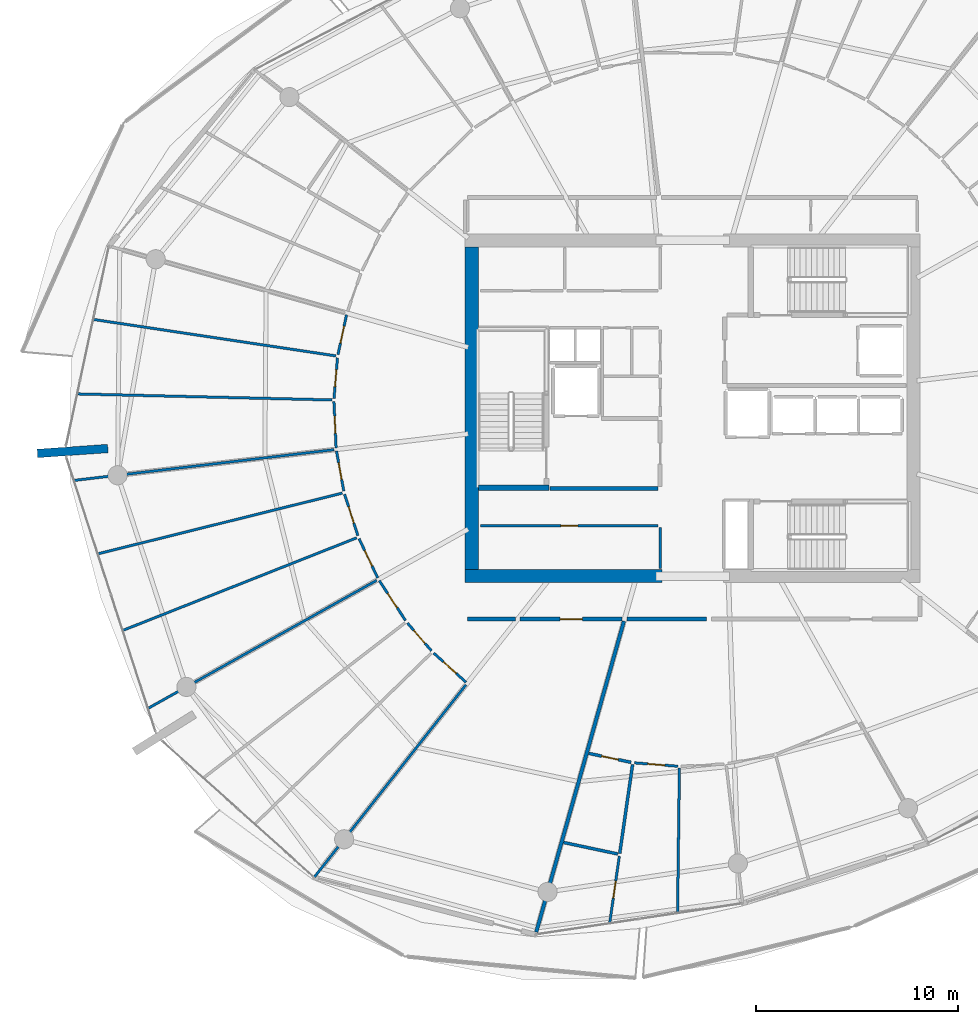
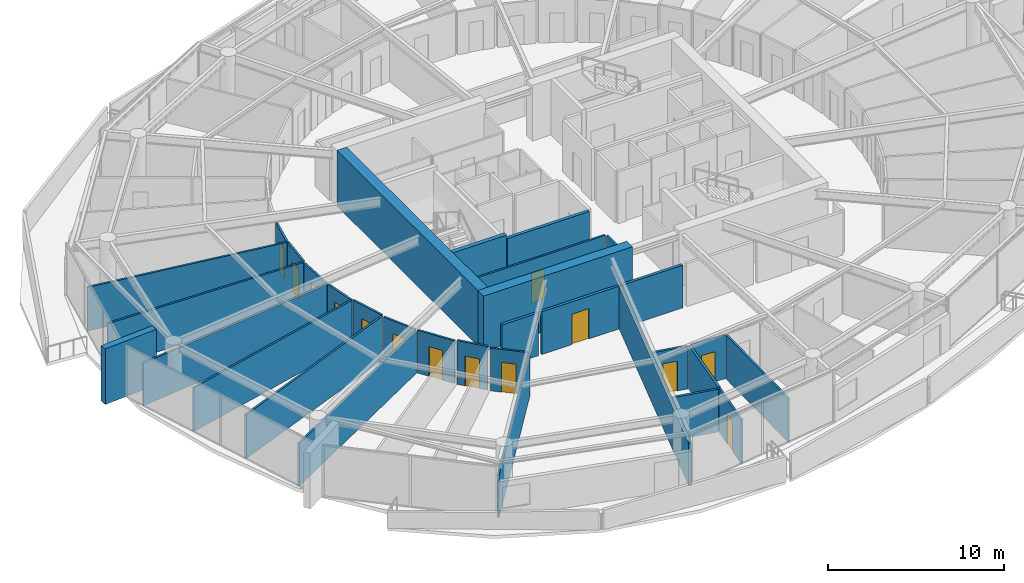
# One storey, part 18 of 30: 33 walls, 14 doors, 14 openings.
"""IFC4 building model written with IfcOpenShell, lengths in metres."""

from ifc_helpers import new_model, si_unit, direction, frame, frame_2d, origin, place, context, subcontext, project, spatial, rectangle, extrude, material, layer, layer_set, type_object, element, fill, save


model = new_model("IFC4")

# Units and contexts
model_context = context("Model", 3, precision=1e-05, world=origin(), true_north=direction((0.0, 1.0)))
body_context = subcontext(model_context, "Body", "Model", "MODEL_VIEW")
ifc_project = project(units=[si_unit("LENGTHUNIT", "METRE"), si_unit("AREAUNIT", "SQUARE_METRE"), si_unit("VOLUMEUNIT", "CUBIC_METRE"), si_unit("PLANEANGLEUNIT", "RADIAN"), si_unit("MASSUNIT", "GRAM", prefix="KILO")], contexts=[model_context])

# Site, building, storey
site_placement = place(None, origin())
site = spatial("IfcSite", under=ifc_project, at=site_placement, CompositionType="ELEMENT")
building_placement = place(site_placement, origin())
building = spatial("IfcBuilding", under=site, at=building_placement, Name="Kazma Halo Residences", CompositionType="ELEMENT")
storey_placement = place(building_placement, frame((0.0, 0.0, 263.64990234375)))
storey = spatial("IfcBuildingStorey", under=building, at=storey_placement, Name="L66", CompositionType="ELEMENT", Elevation=263.64990234375)

# Walls
ifc_material_1 = material(Name="Pale Concrete C60/75", Category="concrete")
ifc_layer_1 = layer(ifc_material_1, 0.419921875)
ifc_layer_set_1 = layer_set([ifc_layer_1], Name="Pale Concrete C60/75")
wall_type_1 = type_object("IfcWallType", Name="WL-BLADE-420", PredefinedType="SOLIDWALL", material=ifc_layer_set_1)
wall_1_placement = place(storey_placement, frame((19.4375, 40.002685546875, 0.0), z_axis=(0.0, 0.0, 1.0), x_axis=(-0.997563824095, -0.069759707979, 0.0)))
element("IfcWall", 1, at=wall_1_placement, inside=storey, type_object=wall_type_1, Name="L66 pale concrete structural blade fin wall BW-02", PredefinedType="SOLIDWALL", context=body_context, shape_type="SweptSolid", body=[
    extrude(rectangle(XDim=3.499755859375, YDim=0.419921875, at=frame_2d((1.75, 0.0))), origin(), (0.0, 0.0, 1.0), 3.85009765625),
])
ifc_material_2 = material(Name="Concrete C60/75", Category="concrete")
ifc_layer_2 = layer(ifc_material_2, 0.64990234375)
ifc_layer_set_2 = layer_set([ifc_layer_2], Name="Concrete C60/75")
wall_type_2 = type_object("IfcWallType", Name="WL-CORE-650", PredefinedType="SHEAR", material=ifc_layer_set_2)
wall_2_placement = place(storey_placement, frame((37.14990234375, 33.675048828125, 0.0), z_axis=(0.0, 0.0, 1.0), x_axis=(1.0, 0.0, 0.0)))
element("IfcWall", 2, at=wall_2_placement, inside=storey, type_object=wall_type_2, Name="L66 central core shear wall SW", PredefinedType="SHEAR", context=body_context, shape_type="SweptSolid", body=[
    extrude(rectangle(XDim=9.75, YDim=0.64990234375, at=frame_2d((4.875, 0.0))), origin(), (0.0, 0.0, 1.0), 3.85009765625),
])
wall_3_placement = place(storey_placement, frame((37.47509765625, 34.0, 0.0), z_axis=(0.0, 0.0, 1.0), x_axis=(0.0, 1.0, 0.0)))
element("IfcWall", 3, at=wall_3_placement, inside=storey, type_object=wall_type_2, Name="L66 central core shear wall W", PredefinedType="SHEAR", context=body_context, shape_type="SweptSolid", body=[
    extrude(rectangle(XDim=16.0, YDim=0.64990234375, at=frame_2d((8.0, 0.0))), origin(), (0.0, 0.0, 1.0), 3.85009765625),
])
ifc_layer_3 = layer(ifc_material_2, 0.280029296875)
ifc_layer_set_3 = layer_set([ifc_layer_3], Name="Concrete C60/75")
wall_type_3 = type_object("IfcWallType", Name="WL-CORE-ST-280", PredefinedType="SHEAR", material=ifc_layer_set_3)
wall_4_placement = place(storey_placement, frame((37.800048828125, 38.06005859375, 0.0), z_axis=(0.0, 0.0, 1.0), x_axis=(1.0, 0.0, 0.0)))
element("IfcWall", 4, at=wall_4_placement, inside=storey, type_object=wall_type_3, Name="L66 stairwell bearing wall ST01-S", PredefinedType="SHEAR", context=body_context, shape_type="SweptSolid", body=[
    extrude(rectangle(XDim=3.5, YDim=0.280029296875, at=frame_2d((1.75, 0.0))), origin(), (0.0, 0.0, 1.0), 3.85009765625),
])
ifc_material_3 = material(Name="Acoustic Twin-Stud Gypsum")
ifc_layer_4 = layer(ifc_material_3, 0.179931640625)
ifc_layer_set_4 = layer_set([ifc_layer_4], Name="Acoustic Twin-Stud Gypsum")
wall_type_4 = type_object("IfcWallType", Name="WL-DEM-180", PredefinedType="PARTITIONING", material=ifc_layer_set_4)
wall_5_placement = place(storey_placement, frame((45.02294921875, 31.444091796875, 0.0), z_axis=(0.0, 0.0, 1.0), x_axis=(-0.271442063103, -0.962454781472, 0.0)))
element("IfcWall", 5, at=wall_5_placement, inside=storey, type_object=wall_type_4, Name="L66 apartment demising radial wall 10", PredefinedType="PARTITIONING", context=body_context, shape_type="SweptSolid", body=[
    extrude(rectangle(XDim=16.016845703125, YDim=0.179931640625, at=frame_2d((8.00830078125, 0.0))), origin(), (0.0, 0.0, 1.0), 2.95703125),
])

# Wall, opening, door
wall_6_placement = place(storey_placement, frame((39.8818359375, 31.550048828125, 0.0), z_axis=(0.0, 0.0, 1.0), x_axis=(1.0, 0.0, 0.0)))
wall_6 = element("IfcWall", 6, at=wall_6_placement, inside=storey, type_object=wall_type_4, Name="L66 Apartment 1 entrance corridor wall", PredefinedType="PARTITIONING", context=body_context, shape_type="SweptSolid", body=[
    extrude(rectangle(XDim=5.051025390625, YDim=0.179931640625, at=frame_2d((2.525390625, 0.0))), origin(), (0.0, 0.0, 1.0), 2.95703125),
])
opening_1_placement = place(wall_6_placement, frame((1.975341796875, 0.0, 0.0)))
opening_1 = element("IfcOpeningElement", 7, at=opening_1_placement, cuts=wall_6, Name="Opening DA-1100", PredefinedType="OPENING", context=body_context, shape_type="SweptSolid", body=[
    extrude(rectangle(XDim=1.10009765625, YDim=2.10009765625, at=frame_2d((0.550048828125, 1.050048828125))), frame((0.0, 0.099853515625, 0.0), z_axis=(0.0, -1.0, 0.0), x_axis=(1.0, 0.0, 0.0)), (0.0, 0.0, 1.0), 0.199951171875),
])
ifc_material_4 = material(Name="Acoustic Walnut Fire Leaf")
door_type_1 = type_object("IfcDoorType", Name="DR-FD60-1100", OperationType="NOTDEFINED", PredefinedType="DOOR", material=ifc_material_4)
door_1_placement = place(opening_1_placement, origin())
door_1 = element("IfcDoor", 8, at=door_1_placement, inside=storey, type_object=door_type_1, Name="L66 Apartment 1 entrance fire door", OperationType="SINGLE_SWING_RIGHT", OverallHeight=2.10009765625, OverallWidth=1.10009765625, PredefinedType="DOOR", context=body_context, shape_type="SweptSolid", body=[
    extrude(rectangle(XDim=1.10009765625, YDim=2.10009765625, at=frame_2d((0.550048828125, 1.050048828125))), frame((0.0, 0.02490234375, 0.0), z_axis=(0.0, -1.0, 0.0), x_axis=(1.0, 0.0, 0.0)), (0.0, 0.0, 1.0), 0.050048828125),
])
fill(opening_1, door_1)

# Walls
wall_7_placement = place(storey_placement, frame((37.27001953125, 31.550048828125, 0.0), z_axis=(0.0, 0.0, 1.0), x_axis=(1.0, 0.0, 0.0)))
element("IfcWall", 9, at=wall_7_placement, inside=storey, type_object=wall_type_4, Name="L66 Apartment 1 inner wall 8", PredefinedType="PARTITIONING", context=body_context, shape_type="SweptSolid", body=[
    extrude(rectangle(XDim=2.371826171875, YDim=0.179931640625, at=frame_2d((1.18603515625, 0.0))), origin(), (0.0, 0.0, 1.0), 2.95703125),
])
wall_8_placement = place(storey_placement, frame((45.1728515625, 31.550048828125, 0.0), z_axis=(0.0, 0.0, 1.0), x_axis=(1.0, 0.0, 0.0)))
element("IfcWall", 10, at=wall_8_placement, inside=storey, type_object=wall_type_4, Name="L66 Apartment 2 inner wall 10", PredefinedType="PARTITIONING", context=body_context, shape_type="SweptSolid", body=[
    extrude(rectangle(XDim=3.94384765625, YDim=0.179931640625, at=frame_2d((1.971923828125, 0.0))), origin(), (0.0, 0.0, 1.0), 2.95703125),
])
ifc_material_5 = material(Name="Fire-Rated Blockwork Masonry", Category="masonry")
ifc_layer_5 = layer(ifc_material_5, 0.199951171875)
ifc_layer_set_5 = layer_set([ifc_layer_5], Name="Fire-Rated Blockwork Masonry")
wall_type_5 = type_object("IfcWallType", Name="WL-FLB-200", PredefinedType="PARTITIONING", material=ifc_layer_set_5)
wall_9_placement = place(storey_placement, frame((41.35009765625, 38.02001953125, 0.0), z_axis=(0.0, 0.0, 1.0), x_axis=(1.0, 0.0, 0.0)))
element("IfcWall", 11, at=wall_9_placement, inside=storey, type_object=wall_type_5, Name="L66 west firefighting lobby south smoke wall", PredefinedType="PARTITIONING", context=body_context, shape_type="SweptSolid", body=[
    extrude(rectangle(XDim=5.369873046875, YDim=0.199951171875, at=frame_2d((2.68505859375, 0.0))), origin(), (0.0, 0.0, 1.0), 3.590087890625),
])
ifc_material_6 = material(Name="Gypsum Plasterboard Partition")
ifc_layer_6 = layer(ifc_material_6, 0.125)
ifc_layer_set_6 = layer_set([ifc_layer_6], Name="Gypsum Plasterboard Partition")
wall_type_6 = type_object("IfcWallType", Name="WL-PART-125", PredefinedType="PARTITIONING", material=ifc_layer_set_6)
wall_10_placement = place(storey_placement, frame((46.820068359375, 34.050048828125, 0.0), z_axis=(0.0, 0.0, 1.0), x_axis=(0.0, 1.0, 0.0)))
element("IfcWall", 12, at=wall_10_placement, inside=storey, type_object=wall_type_6, Name="L66 reclaimed south east wall", PredefinedType="PARTITIONING", context=body_context, shape_type="SweptSolid", body=[
    extrude(rectangle(XDim=2.030029296875, YDim=0.125, at=frame_2d((1.01513671875, 0.0))), origin(), (0.0, 0.0, 1.0), 3.030029296875),
])

# Wall, opening, door
wall_11_placement = place(storey_placement, frame((37.919921875, 36.179931640625, 0.0), z_axis=(0.0, 0.0, 1.0), x_axis=(1.0, 0.0, 0.0)))
wall_11 = element("IfcWall", 13, at=wall_11_placement, inside=storey, type_object=wall_type_6, Name="L66 reclaimed south front wall", PredefinedType="PARTITIONING", context=body_context, shape_type="SweptSolid", body=[
    extrude(rectangle(XDim=8.800048828125, YDim=0.125, at=frame_2d((4.39990234375, 0.0))), origin(), (0.0, 0.0, 1.0), 3.030029296875),
])
opening_2_placement = place(wall_11_placement, frame((3.97509765625, 0.0, 0.0)))
opening_2 = element("IfcOpeningElement", 14, at=opening_2_placement, cuts=wall_11, Name="Opening DS-850", PredefinedType="OPENING", context=body_context, shape_type="SweptSolid", body=[
    extrude(rectangle(XDim=0.85009765625, YDim=2.06005859375, at=frame_2d((0.425048828125, 1.030029296875))), frame((0.0, 0.072509765625, 0.0), z_axis=(0.0, -1.0, 0.0), x_axis=(1.0, 0.0, 0.0)), (0.0, 0.0, 1.0), 0.14501953125),
])
ifc_material_7 = material(Name="Painted Steel Access Leaf", Category="steel")
door_type_2 = type_object("IfcDoorType", Name="DR-SVC-850", OperationType="NOTDEFINED", PredefinedType="DOOR", material=ifc_material_7)
door_2_placement = place(opening_2_placement, origin())
door_2 = element("IfcDoor", 15, at=door_2_placement, inside=storey, type_object=door_type_2, Name="L66 reclaimed south service door", OperationType="SINGLE_SWING_LEFT", OverallHeight=2.06005859375, OverallWidth=0.85009765625, PredefinedType="DOOR", context=body_context, shape_type="SweptSolid", body=[
    extrude(rectangle(XDim=0.85009765625, YDim=2.06005859375, at=frame_2d((0.425048828125, 1.030029296875))), frame((0.0, 0.02490234375, 0.0), z_axis=(0.0, -1.0, 0.0), x_axis=(1.0, 0.0, 0.0)), (0.0, 0.0, 1.0), 0.050048828125),
])
fill(opening_2, door_2)

# Walls
wall_12_placement = place(storey_placement, frame((30.739990234375, 44.594970703125, 0.0), z_axis=(0.0, 0.0, 1.0), x_axis=(-0.988886285118, 0.148673854813, 0.0)))
element("IfcWall", 16, at=wall_12_placement, inside=storey, type_object=wall_type_6, Name="L66 Apartment 1 bay wall 1 6", PredefinedType="PARTITIONING", context=body_context, shape_type="SweptSolid", body=[
    extrude(rectangle(XDim=12.138671875, YDim=0.125, at=frame_2d((6.0693359375, 0.0))), origin(), (0.0, 0.0, 1.0), 3.030029296875),
])
wall_13_placement = place(storey_placement, frame((30.55078125, 42.4111328125, 0.0), z_axis=(0.0, 0.0, 1.0), x_axis=(-0.999722360085, 0.023562740626, 0.0)))
element("IfcWall", 17, at=wall_13_placement, inside=storey, type_object=wall_type_6, Name="L66 Apartment 1 bay wall 2 6", PredefinedType="PARTITIONING", context=body_context, shape_type="SweptSolid", body=[
    extrude(rectangle(XDim=12.609619140625, YDim=0.125, at=frame_2d((6.3046875, 0.0))), origin(), (0.0, 0.0, 1.0), 3.030029296875),
])

# Wall, opening, door
wall_14_placement = place(storey_placement, frame((31.27099609375, 46.635009765625, 0.0), z_axis=(0.0, 0.0, 1.0), x_axis=(-0.210477911791, -0.97759861326, 0.0)))
wall_14 = element("IfcWall", 18, at=wall_14_placement, inside=storey, type_object=wall_type_6, Name="L66 Apartment 1 Inner Bedroom hall wall", PredefinedType="PARTITIONING", context=body_context, shape_type="SweptSolid", body=[
    extrude(rectangle(XDim=2.0205078125, YDim=0.125, at=frame_2d((1.01025390625, 0.0))), origin(), (0.0, 0.0, 1.0), 2.95703125),
])
opening_3_placement = place(wall_14_placement, frame((0.585205078125, 0.0, 0.0)))
opening_3 = element("IfcOpeningElement", 19, at=opening_3_placement, cuts=wall_14, Name="Opening DB-900", PredefinedType="OPENING", context=body_context, shape_type="SweptSolid", body=[
    extrude(rectangle(XDim=0.85009765625, YDim=2.06005859375, at=frame_2d((0.425048828125, 1.030029296875))), frame((0.0, 0.072509765625, 0.0), z_axis=(0.0, -1.0, 0.0), x_axis=(1.0, 0.0, 0.0)), (0.0, 0.0, 1.0), 0.14501953125),
])
ifc_material_8 = material(Name="Moisture-Sealed Timber Leaf", Category="wood")
door_type_3 = type_object("IfcDoorType", Name="DR-BTH-900", OperationType="NOTDEFINED", PredefinedType="DOOR", material=ifc_material_8)
door_3_placement = place(opening_3_placement, origin())
door_3 = element("IfcDoor", 20, at=door_3_placement, inside=storey, type_object=door_type_3, Name="L66 Apartment 1 Inner Bedroom door", OperationType="SINGLE_SWING_RIGHT", OverallHeight=2.06005859375, OverallWidth=0.85009765625, PredefinedType="DOOR", context=body_context, shape_type="SweptSolid", body=[
    extrude(rectangle(XDim=0.85009765625, YDim=2.06005859375, at=frame_2d((0.425048828125, 1.030029296875))), frame((0.0, 0.02490234375, 0.0), z_axis=(0.0, -1.0, 0.0), x_axis=(1.0, 0.0, 0.0)), (0.0, 0.0, 1.0), 0.050048828125),
])
fill(opening_3, door_3)

wall_15_placement = place(storey_placement, frame((30.822021484375, 44.501708984375, 0.0), z_axis=(0.0, 0.0, 1.0), x_axis=(-0.086275045339, -0.996271356886, 0.0)))
wall_15 = element("IfcWall", 21, at=wall_15_placement, inside=storey, type_object=wall_type_6, Name="L66 Apartment 1 Outer Dressing Wardrobe hall wall", PredefinedType="PARTITIONING", context=body_context, shape_type="SweptSolid", body=[
    extrude(rectangle(XDim=2.0205078125, YDim=0.125, at=frame_2d((1.01025390625, 0.0))), origin(), (0.0, 0.0, 1.0), 3.030029296875),
])
opening_4_placement = place(wall_15_placement, frame((0.585205078125, 0.0, 0.0)))
opening_4 = element("IfcOpeningElement", 22, at=opening_4_placement, cuts=wall_15, Name="Opening DB-900", PredefinedType="OPENING", context=body_context, shape_type="SweptSolid", body=[
    extrude(rectangle(XDim=0.85009765625, YDim=2.06005859375, at=frame_2d((0.425048828125, 1.030029296875))), frame((0.0, 0.072509765625, 0.0), z_axis=(0.0, -1.0, 0.0), x_axis=(1.0, 0.0, 0.0)), (0.0, 0.0, 1.0), 0.14501953125),
])
door_4_placement = place(opening_4_placement, origin())
door_4 = element("IfcDoor", 23, at=door_4_placement, inside=storey, type_object=door_type_3, Name="L66 Apartment 1 Outer Dressing Wardrobe door", OperationType="SINGLE_SWING_LEFT", OverallHeight=2.06005859375, OverallWidth=0.85009765625, PredefinedType="DOOR", context=body_context, shape_type="SweptSolid", body=[
    extrude(rectangle(XDim=0.85009765625, YDim=2.06005859375, at=frame_2d((0.425048828125, 1.030029296875))), frame((0.0, 0.02490234375, 0.0), z_axis=(0.0, -1.0, 0.0), x_axis=(1.0, 0.0, 0.0)), (0.0, 0.0, 1.0), 0.050048828125),
])
fill(opening_4, door_4)

wall_16_placement = place(storey_placement, frame((30.64453125, 42.3291015625, 0.0), z_axis=(0.0, 0.0, 1.0), x_axis=(0.047175561804, -0.998886613369, 0.0)))
wall_16 = element("IfcWall", 24, at=wall_16_placement, inside=storey, type_object=wall_type_6, Name="L66 Apartment 1 Corner Master Bedroom hall wall", PredefinedType="PARTITIONING", context=body_context, shape_type="SweptSolid", body=[
    extrude(rectangle(XDim=2.29248046875, YDim=0.125, at=frame_2d((1.146240234375, 0.0))), origin(), (0.0, 0.0, 1.0), 2.95703125),
])
opening_5_placement = place(wall_16_placement, frame((0.721435546875, 0.0, 0.0)))
opening_5 = element("IfcOpeningElement", 25, at=opening_5_placement, cuts=wall_16, Name="Opening DB-900", PredefinedType="OPENING", context=body_context, shape_type="SweptSolid", body=[
    extrude(rectangle(XDim=0.85009765625, YDim=2.06005859375, at=frame_2d((0.425048828125, 1.030029296875))), frame((0.0, 0.072509765625, 0.0), z_axis=(0.0, -1.0, 0.0), x_axis=(1.0, 0.0, 0.0)), (0.0, 0.0, 1.0), 0.14501953125),
])
door_5_placement = place(opening_5_placement, origin())
door_5 = element("IfcDoor", 26, at=door_5_placement, inside=storey, type_object=door_type_3, Name="L66 Apartment 1 Corner Master Bedroom door", OperationType="SINGLE_SWING_RIGHT", OverallHeight=2.06005859375, OverallWidth=0.85009765625, PredefinedType="DOOR", context=body_context, shape_type="SweptSolid", body=[
    extrude(rectangle(XDim=0.85009765625, YDim=2.06005859375, at=frame_2d((0.425048828125, 1.030029296875))), frame((0.0, 0.02490234375, 0.0), z_axis=(0.0, -1.0, 0.0), x_axis=(1.0, 0.0, 0.0)), (0.0, 0.0, 1.0), 0.050048828125),
])
fill(opening_5, door_5)

# Walls
wall_17_placement = place(storey_placement, frame((30.656982421875, 39.947265625, 0.0), z_axis=(0.0, 0.0, 1.0), x_axis=(-0.99306861519, -0.117536060525, 0.0)))
element("IfcWall", 27, at=wall_17_placement, inside=storey, type_object=wall_type_6, Name="L66 Apartment 1 radial partition 7", PredefinedType="PARTITIONING", context=body_context, shape_type="SweptSolid", body=[
    extrude(rectangle(XDim=12.965576171875, YDim=0.125, at=frame_2d((6.48291015625, 0.0))), origin(), (0.0, 0.0, 1.0), 2.95703125),
])
wall_18_placement = place(storey_placement, frame((31.060791015625, 37.792236328125, 0.0), z_axis=(0.0, 0.0, 1.0), x_axis=(-0.970505468857, -0.241079105105, 0.0)))
element("IfcWall", 28, at=wall_18_placement, inside=storey, type_object=wall_type_6, Name="L66 Apartment 1 bay wall 1 7", PredefinedType="PARTITIONING", context=body_context, shape_type="SweptSolid", body=[
    extrude(rectangle(XDim=12.46533203125, YDim=0.125, at=frame_2d((6.232666015625, 0.0))), origin(), (0.0, 0.0, 1.0), 3.030029296875),
])
wall_19_placement = place(storey_placement, frame((31.771728515625, 35.57470703125, 0.0), z_axis=(0.0, 0.0, 1.0), x_axis=(-0.929777389871, -0.368122269476, 0.0)))
element("IfcWall", 29, at=wall_19_placement, inside=storey, type_object=wall_type_6, Name="L66 Apartment 1 bay wall 2 7", PredefinedType="PARTITIONING", context=body_context, shape_type="SweptSolid", body=[
    extrude(rectangle(XDim=12.44970703125, YDim=0.125, at=frame_2d((6.224853515625, 0.0))), origin(), (0.0, 0.0, 1.0), 3.030029296875),
])

# Wall, opening, door
wall_20_placement = place(storey_placement, frame((30.770751953125, 39.88037109375, 0.0), z_axis=(0.0, 0.0, 1.0), x_axis=(0.17966153972, -0.983728484464, 0.0)))
wall_20 = element("IfcWall", 30, at=wall_20_placement, inside=storey, type_object=wall_type_6, Name="L66 Apartment 1 Garden Master Bedroom hall wall", PredefinedType="PARTITIONING", context=body_context, shape_type="SweptSolid", body=[
    extrude(rectangle(XDim=2.020751953125, YDim=0.125, at=frame_2d((1.01025390625, 0.0))), origin(), (0.0, 0.0, 1.0), 2.95703125),
])
opening_6_placement = place(wall_20_placement, frame((0.585205078125, 0.0, 0.0)))
opening_6 = element("IfcOpeningElement", 31, at=opening_6_placement, cuts=wall_20, Name="Opening DB-900", PredefinedType="OPENING", context=body_context, shape_type="SweptSolid", body=[
    extrude(rectangle(XDim=0.85009765625, YDim=2.06005859375, at=frame_2d((0.425048828125, 1.030029296875))), frame((0.0, 0.072509765625, 0.0), z_axis=(0.0, -1.0, 0.0), x_axis=(1.0, 0.0, 0.0)), (0.0, 0.0, 1.0), 0.14501953125),
])
door_6_placement = place(opening_6_placement, origin())
door_6 = element("IfcDoor", 32, at=door_6_placement, inside=storey, type_object=door_type_3, Name="L66 Apartment 1 Garden Master Bedroom door", OperationType="SINGLE_SWING_LEFT", OverallHeight=2.06005859375, OverallWidth=0.85009765625, PredefinedType="DOOR", context=body_context, shape_type="SweptSolid", body=[
    extrude(rectangle(XDim=0.85009765625, YDim=2.06005859375, at=frame_2d((0.425048828125, 1.030029296875))), frame((0.0, 0.02490234375, 0.0), z_axis=(0.0, -1.0, 0.0), x_axis=(1.0, 0.0, 0.0)), (0.0, 0.0, 1.0), 0.050048828125),
])
fill(opening_6, door_6)

wall_21_placement = place(storey_placement, frame((31.172607421875, 37.73779296875, 0.0), z_axis=(0.0, 0.0, 1.0), x_axis=(0.305305543728, -0.952254443397, 0.0)))
wall_21 = element("IfcWall", 33, at=wall_21_placement, inside=storey, type_object=wall_type_6, Name="L66 Apartment 1 Sky Dressing Wardrobe hall wall", PredefinedType="PARTITIONING", context=body_context, shape_type="SweptSolid", body=[
    extrude(rectangle(XDim=2.15673828125, YDim=0.125, at=frame_2d((1.078369140625, 0.0))), origin(), (0.0, 0.0, 1.0), 3.030029296875),
])
opening_7_placement = place(wall_21_placement, frame((0.6533203125, 0.0, 0.0)))
opening_7 = element("IfcOpeningElement", 34, at=opening_7_placement, cuts=wall_21, Name="Opening DB-900", PredefinedType="OPENING", context=body_context, shape_type="SweptSolid", body=[
    extrude(rectangle(XDim=0.85009765625, YDim=2.06005859375, at=frame_2d((0.425048828125, 1.030029296875))), frame((0.0, 0.072509765625, 0.0), z_axis=(0.0, -1.0, 0.0), x_axis=(1.0, 0.0, 0.0)), (0.0, 0.0, 1.0), 0.14501953125),
])
door_7_placement = place(opening_7_placement, origin())
door_7 = element("IfcDoor", 35, at=door_7_placement, inside=storey, type_object=door_type_3, Name="L66 Apartment 1 Sky Dressing Wardrobe door", OperationType="SINGLE_SWING_RIGHT", OverallHeight=2.06005859375, OverallWidth=0.85009765625, PredefinedType="DOOR", context=body_context, shape_type="SweptSolid", body=[
    extrude(rectangle(XDim=0.85009765625, YDim=2.06005859375, at=frame_2d((0.425048828125, 1.030029296875))), frame((0.0, 0.02490234375, 0.0), z_axis=(0.0, -1.0, 0.0), x_axis=(1.0, 0.0, 0.0)), (0.0, 0.0, 1.0), 0.050048828125),
])
fill(opening_7, door_7)

wall_22_placement = place(storey_placement, frame((31.8896484375, 35.53564453125, 0.0), z_axis=(0.0, 0.0, 1.0), x_axis=(0.429375439277, -0.90312608873, 0.0)))
wall_22 = element("IfcWall", 36, at=wall_22_placement, inside=storey, type_object=wall_type_6, Name="L66 Apartment 1 Gulf Master Bedroom hall wall", PredefinedType="PARTITIONING", context=body_context, shape_type="SweptSolid", body=[
    extrude(rectangle(XDim=2.15673828125, YDim=0.125, at=frame_2d((1.078369140625, 0.0))), origin(), (0.0, 0.0, 1.0), 2.95703125),
])
opening_8_placement = place(wall_22_placement, frame((0.6533203125, 0.0, 0.0)))
opening_8 = element("IfcOpeningElement", 37, at=opening_8_placement, cuts=wall_22, Name="Opening DB-900", PredefinedType="OPENING", context=body_context, shape_type="SweptSolid", body=[
    extrude(rectangle(XDim=0.85009765625, YDim=2.06005859375, at=frame_2d((0.425048828125, 1.030029296875))), frame((0.0, 0.072509765625, 0.0), z_axis=(0.0, -1.0, 0.0), x_axis=(1.0, 0.0, 0.0)), (0.0, 0.0, 1.0), 0.14501953125),
])
door_8_placement = place(opening_8_placement, origin())
door_8 = element("IfcDoor", 38, at=door_8_placement, inside=storey, type_object=door_type_3, Name="L66 Apartment 1 Gulf Master Bedroom door", OperationType="SINGLE_SWING_LEFT", OverallHeight=2.06005859375, OverallWidth=0.85009765625, PredefinedType="DOOR", context=body_context, shape_type="SweptSolid", body=[
    extrude(rectangle(XDim=0.85009765625, YDim=2.06005859375, at=frame_2d((0.425048828125, 1.030029296875))), frame((0.0, 0.02490234375, 0.0), z_axis=(0.0, -1.0, 0.0), x_axis=(1.0, 0.0, 0.0)), (0.0, 0.0, 1.0), 0.050048828125),
])
fill(opening_8, door_8)

# Walls
wall_23_placement = place(storey_placement, frame((32.7626953125, 33.466796875, 0.0), z_axis=(0.0, 0.0, 1.0), x_axis=(-0.872491245389, -0.488629743997, 0.0)))
element("IfcWall", 39, at=wall_23_placement, inside=storey, type_object=wall_type_6, Name="L66 Apartment 1 radial partition 8", PredefinedType="PARTITIONING", context=body_context, shape_type="SweptSolid", body=[
    extrude(rectangle(XDim=12.9658203125, YDim=0.125, at=frame_2d((6.48291015625, 0.0))), origin(), (0.0, 0.0, 1.0), 2.95703125),
])
wall_24_placement = place(storey_placement, frame((37.188232421875, 28.285400390625, 0.0), z_axis=(0.0, 0.0, 1.0), x_axis=(-0.619093440174, -0.785317332251, 0.0)))
element("IfcWall", 40, at=wall_24_placement, inside=storey, type_object=wall_type_6, Name="L66 Apartment 1 living radial partition 8", PredefinedType="PARTITIONING", context=body_context, shape_type="SweptSolid", body=[
    extrude(rectangle(XDim=12.1318359375, YDim=0.125, at=frame_2d((6.06591796875, 0.0))), origin(), (0.0, 0.0, 1.0), 2.95703125),
])

# Wall, opening, door
wall_25_placement = place(storey_placement, frame((32.89404296875, 33.44873046875, 0.0), z_axis=(0.0, 0.0, 1.0), x_axis=(0.550708208441, -0.834697831048, 0.0)))
wall_25 = element("IfcWall", 41, at=wall_25_placement, inside=storey, type_object=wall_type_6, Name="L66 Apartment 1 Primary Master Bedroom hall wall", PredefinedType="PARTITIONING", context=body_context, shape_type="SweptSolid", body=[
    extrude(rectangle(XDim=2.360595703125, YDim=0.125, at=frame_2d((1.18017578125, 0.0))), origin(), (0.0, 0.0, 1.0), 2.95703125),
])
opening_9_placement = place(wall_25_placement, frame((0.75537109375, 0.0, 0.0)))
opening_9 = element("IfcOpeningElement", 42, at=opening_9_placement, cuts=wall_25, Name="Opening DB-900", PredefinedType="OPENING", context=body_context, shape_type="SweptSolid", body=[
    extrude(rectangle(XDim=0.85009765625, YDim=2.06005859375, at=frame_2d((0.425048828125, 1.030029296875))), frame((0.0, 0.072509765625, 0.0), z_axis=(0.0, -1.0, 0.0), x_axis=(1.0, 0.0, 0.0)), (0.0, 0.0, 1.0), 0.14501953125),
])
door_9_placement = place(opening_9_placement, origin())
door_9 = element("IfcDoor", 43, at=door_9_placement, inside=storey, type_object=door_type_3, Name="L66 Apartment 1 Primary Master Bedroom door", OperationType="SINGLE_SWING_RIGHT", OverallHeight=2.06005859375, OverallWidth=0.85009765625, PredefinedType="DOOR", context=body_context, shape_type="SweptSolid", body=[
    extrude(rectangle(XDim=0.85009765625, YDim=2.06005859375, at=frame_2d((0.425048828125, 1.030029296875))), frame((0.0, 0.02490234375, 0.0), z_axis=(0.0, -1.0, 0.0), x_axis=(1.0, 0.0, 0.0)), (0.0, 0.0, 1.0), 0.050048828125),
])
fill(opening_9, door_9)

wall_26_placement = place(storey_placement, frame((34.290283203125, 31.350830078125, 0.0), z_axis=(0.0, 0.0, 1.0), x_axis=(0.654039701977, -0.756460222509, 0.0)))
wall_26 = element("IfcWall", 44, at=wall_26_placement, inside=storey, type_object=wall_type_6, Name="L66 Apartment 1 Secondary Study hall wall", PredefinedType="PARTITIONING", context=body_context, shape_type="SweptSolid", body=[
    extrude(rectangle(XDim=1.81640625, YDim=0.125, at=frame_2d((0.908203125, 0.0))), origin(), (0.0, 0.0, 1.0), 3.030029296875),
])
opening_10_placement = place(wall_26_placement, frame((0.483154296875, 0.0, 0.0)))
opening_10 = element("IfcOpeningElement", 45, at=opening_10_placement, cuts=wall_26, Name="Opening DB-900", PredefinedType="OPENING", context=body_context, shape_type="SweptSolid", body=[
    extrude(rectangle(XDim=0.85009765625, YDim=2.06005859375, at=frame_2d((0.425048828125, 1.030029296875))), frame((0.0, 0.072509765625, 0.0), z_axis=(0.0, -1.0, 0.0), x_axis=(1.0, 0.0, 0.0)), (0.0, 0.0, 1.0), 0.14501953125),
])
door_10_placement = place(opening_10_placement, origin())
door_10 = element("IfcDoor", 46, at=door_10_placement, inside=storey, type_object=door_type_3, Name="L66 Apartment 1 Secondary Study door", OperationType="SINGLE_SWING_LEFT", OverallHeight=2.06005859375, OverallWidth=0.85009765625, PredefinedType="DOOR", context=body_context, shape_type="SweptSolid", body=[
    extrude(rectangle(XDim=0.85009765625, YDim=2.06005859375, at=frame_2d((0.425048828125, 1.030029296875))), frame((0.0, 0.02490234375, 0.0), z_axis=(0.0, -1.0, 0.0), x_axis=(1.0, 0.0, 0.0)), (0.0, 0.0, 1.0), 0.050048828125),
])
fill(opening_10, door_10)

wall_27_placement = place(storey_placement, frame((35.58984375, 29.862548828125, 0.0), z_axis=(0.0, 0.0, 1.0), x_axis=(0.74229697692, -0.670071039559, 0.0)))
wall_27 = element("IfcWall", 47, at=wall_27_placement, inside=storey, type_object=wall_type_6, Name="L66 Apartment 1 East Master Bedroom hall wall", PredefinedType="PARTITIONING", context=body_context, shape_type="SweptSolid", body=[
    extrude(rectangle(XDim=2.156494140625, YDim=0.125, at=frame_2d((1.078125, 0.0))), origin(), (0.0, 0.0, 1.0), 2.95703125),
])
opening_11_placement = place(wall_27_placement, frame((0.6533203125, 0.0, 0.0)))
opening_11 = element("IfcOpeningElement", 48, at=opening_11_placement, cuts=wall_27, Name="Opening DB-900", PredefinedType="OPENING", context=body_context, shape_type="SweptSolid", body=[
    extrude(rectangle(XDim=0.85009765625, YDim=2.06005859375, at=frame_2d((0.425048828125, 1.030029296875))), frame((0.0, 0.072509765625, 0.0), z_axis=(0.0, -1.0, 0.0), x_axis=(1.0, 0.0, 0.0)), (0.0, 0.0, 1.0), 0.14501953125),
])
door_11_placement = place(opening_11_placement, origin())
door_11 = element("IfcDoor", 49, at=door_11_placement, inside=storey, type_object=door_type_3, Name="L66 Apartment 1 East Master Bedroom door", OperationType="SINGLE_SWING_RIGHT", OverallHeight=2.06005859375, OverallWidth=0.85009765625, PredefinedType="DOOR", context=body_context, shape_type="SweptSolid", body=[
    extrude(rectangle(XDim=0.85009765625, YDim=2.06005859375, at=frame_2d((0.425048828125, 1.030029296875))), frame((0.0, 0.02490234375, 0.0), z_axis=(0.0, -1.0, 0.0), x_axis=(1.0, 0.0, 0.0)), (0.0, 0.0, 1.0), 0.050048828125),
])
fill(opening_11, door_11)

wall_28_placement = place(storey_placement, frame((44.794921875, 19.793212890625, 0.0), z_axis=(0.0, 0.0, 1.0), x_axis=(-0.142812082151, -0.989749821516, 0.0)))
wall_28 = element("IfcWall", 50, at=wall_28_placement, inside=storey, type_object=wall_type_6, Name="L66 Apartment 2 Utility Laundry Room partition wall", PredefinedType="PARTITIONING", context=body_context, shape_type="SweptSolid", body=[
    extrude(rectangle(XDim=3.342041015625, YDim=0.125, at=frame_2d((1.6708984375, 0.0))), origin(), (0.0, 0.0, 1.0), 3.030029296875),
])
opening_12_placement = place(wall_28_placement, frame((1.24609375, 0.0, 0.0)))
opening_12 = element("IfcOpeningElement", 51, at=opening_12_placement, cuts=wall_28, Name="Opening DB-900", PredefinedType="OPENING", context=body_context, shape_type="SweptSolid", body=[
    extrude(rectangle(XDim=0.85009765625, YDim=2.06005859375, at=frame_2d((0.425048828125, 1.030029296875))), frame((0.0, 0.072509765625, 0.0), z_axis=(0.0, -1.0, 0.0), x_axis=(1.0, 0.0, 0.0)), (0.0, 0.0, 1.0), 0.14501953125),
])
door_12_placement = place(opening_12_placement, origin())
door_12 = element("IfcDoor", 52, at=door_12_placement, inside=storey, type_object=door_type_3, Name="L66 Apartment 2 Utility Laundry Room door", OperationType="SINGLE_SWING_RIGHT", OverallHeight=2.06005859375, OverallWidth=0.85009765625, PredefinedType="DOOR", context=body_context, shape_type="SweptSolid", body=[
    extrude(rectangle(XDim=0.85009765625, YDim=2.06005859375, at=frame_2d((0.425048828125, 1.030029296875))), frame((0.0, 0.02490234375, 0.0), z_axis=(0.0, -1.0, 0.0), x_axis=(1.0, 0.0, 0.0)), (0.0, 0.0, 1.0), 0.050048828125),
])
fill(opening_12, door_12)

# Wall
wall_29_placement = place(storey_placement, frame((47.772216796875, 24.154296875, 0.0), z_axis=(0.0, 0.0, 1.0), x_axis=(-0.012746936198, -0.999918754508, 0.0)))
element("IfcWall", 53, at=wall_29_placement, inside=storey, type_object=wall_type_6, Name="L66 Apartment 2 suite divider 10", PredefinedType="PARTITIONING", context=body_context, shape_type="SweptSolid", body=[
    extrude(rectangle(XDim=7.1630859375, YDim=0.125, at=frame_2d((3.58154296875, 0.0))), origin(), (0.0, 0.0, 1.0), 3.030029296875),
])

# Wall, opening, door
wall_30_placement = place(storey_placement, frame((45.55322265625, 24.418212890625, 0.0), z_axis=(0.0, 0.0, 1.0), x_axis=(0.99694376357, -0.078122546546, 0.0)))
wall_30 = element("IfcWall", 54, at=wall_30_placement, inside=storey, type_object=wall_type_6, Name="L66 Apartment 2 Gourmet Kitchen hall wall", PredefinedType="PARTITIONING", context=body_context, shape_type="SweptSolid", body=[
    extrude(rectangle(XDim=2.14697265625, YDim=0.125, at=frame_2d((1.073486328125, 0.0))), origin(), (0.0, 0.0, 1.0), 3.030029296875),
])
opening_13_placement = place(wall_30_placement, frame((0.6484375, 0.0, 0.0)))
opening_13 = element("IfcOpeningElement", 55, at=opening_13_placement, cuts=wall_30, Name="Opening DB-900", PredefinedType="OPENING", context=body_context, shape_type="SweptSolid", body=[
    extrude(rectangle(XDim=0.85009765625, YDim=2.06005859375, at=frame_2d((0.425048828125, 1.030029296875))), frame((0.0, 0.072509765625, 0.0), z_axis=(0.0, -1.0, 0.0), x_axis=(1.0, 0.0, 0.0)), (0.0, 0.0, 1.0), 0.14501953125),
])
door_13_placement = place(opening_13_placement, origin())
door_13 = element("IfcDoor", 56, at=door_13_placement, inside=storey, type_object=door_type_3, Name="L66 Apartment 2 Gourmet Kitchen door", OperationType="SINGLE_SWING_LEFT", OverallHeight=2.06005859375, OverallWidth=0.85009765625, PredefinedType="DOOR", context=body_context, shape_type="SweptSolid", body=[
    extrude(rectangle(XDim=0.85009765625, YDim=2.06005859375, at=frame_2d((0.425048828125, 1.030029296875))), frame((0.0, 0.02490234375, 0.0), z_axis=(0.0, -1.0, 0.0), x_axis=(1.0, 0.0, 0.0)), (0.0, 0.0, 1.0), 0.050048828125),
])
fill(opening_13, door_13)

ifc_material_9 = material(Name="Moisture-Resistant Gypsum")
ifc_layer_7 = layer(ifc_material_9, 0.14990234375)
ifc_layer_set_7 = layer_set([ifc_layer_7], Name="Moisture-Resistant Gypsum")
wall_type_7 = type_object("IfcWallType", Name="WL-WET-150", PredefinedType="PARTITIONING", material=ifc_layer_set_7)
wall_31_placement = place(storey_placement, frame((43.27783203125, 24.888916015625, 0.0), z_axis=(0.0, 0.0, 1.0), x_axis=(0.978223618973, -0.207553731074, 0.0)))
wall_31 = element("IfcWall", 57, at=wall_31_placement, inside=storey, type_object=wall_type_7, Name="L66 Apartment 2 Guest Bathroom hall wall", PredefinedType="PARTITIONING", context=body_context, shape_type="SweptSolid", body=[
    extrude(rectangle(XDim=2.144287109375, YDim=0.14990234375, at=frame_2d((1.072265625, 0.0))), origin(), (0.0, 0.0, 1.0), 2.95703125),
])
opening_14_placement = place(wall_31_placement, frame((0.647216796875, 0.0, 0.0)))
opening_14 = element("IfcOpeningElement", 58, at=opening_14_placement, cuts=wall_31, Name="Opening DB-900", PredefinedType="OPENING", context=body_context, shape_type="SweptSolid", body=[
    extrude(rectangle(XDim=0.85009765625, YDim=2.06005859375, at=frame_2d((0.425048828125, 1.030029296875))), frame((0.0, 0.0849609375, 0.0), z_axis=(0.0, -1.0, 0.0), x_axis=(1.0, 0.0, 0.0)), (0.0, 0.0, 1.0), 0.169921875),
])
door_14_placement = place(opening_14_placement, origin())
door_14 = element("IfcDoor", 59, at=door_14_placement, inside=storey, type_object=door_type_3, Name="L66 Apartment 2 Guest Bathroom door", OperationType="SINGLE_SWING_LEFT", OverallHeight=2.06005859375, OverallWidth=0.85009765625, PredefinedType="DOOR", context=body_context, shape_type="SweptSolid", body=[
    extrude(rectangle(XDim=0.85009765625, YDim=2.06005859375, at=frame_2d((0.425048828125, 1.030029296875))), frame((0.0, 0.02490234375, 0.0), z_axis=(0.0, -1.0, 0.0), x_axis=(1.0, 0.0, 0.0)), (0.0, 0.0, 1.0), 0.050048828125),
])
fill(opening_14, door_14)

# Walls
wall_32_placement = place(storey_placement, frame((42.031982421875, 20.47119140625, 0.0), z_axis=(0.0, 0.0, 1.0), x_axis=(0.978220458767, -0.207568624914, 0.0)))
element("IfcWall", 60, at=wall_32_placement, inside=storey, type_object=wall_type_7, Name="L66 Apartment 2 Guest Bathroom back wall", PredefinedType="PARTITIONING", context=body_context, shape_type="SweptSolid", body=[
    extrude(rectangle(XDim=2.74755859375, YDim=0.14990234375, at=frame_2d((1.373779296875, 0.0))), origin(), (0.0, 0.0, 1.0), 2.95703125),
])
wall_33_placement = place(storey_placement, frame((45.45068359375, 24.3359375, 0.0), z_axis=(0.0, 0.0, 1.0), x_axis=(-0.142877347864, -0.989740402059, 0.0)))
element("IfcWall", 61, at=wall_33_placement, inside=storey, type_object=wall_type_7, Name="L66 Apartment 2 Guest Bathroom side wall", PredefinedType="PARTITIONING", context=body_context, shape_type="SweptSolid", body=[
    extrude(rectangle(XDim=4.459716796875, YDim=0.14990234375, at=frame_2d((2.22998046875, 0.0))), origin(), (0.0, 0.0, 1.0), 3.030029296875),
])

save(model, "model.ifc")
